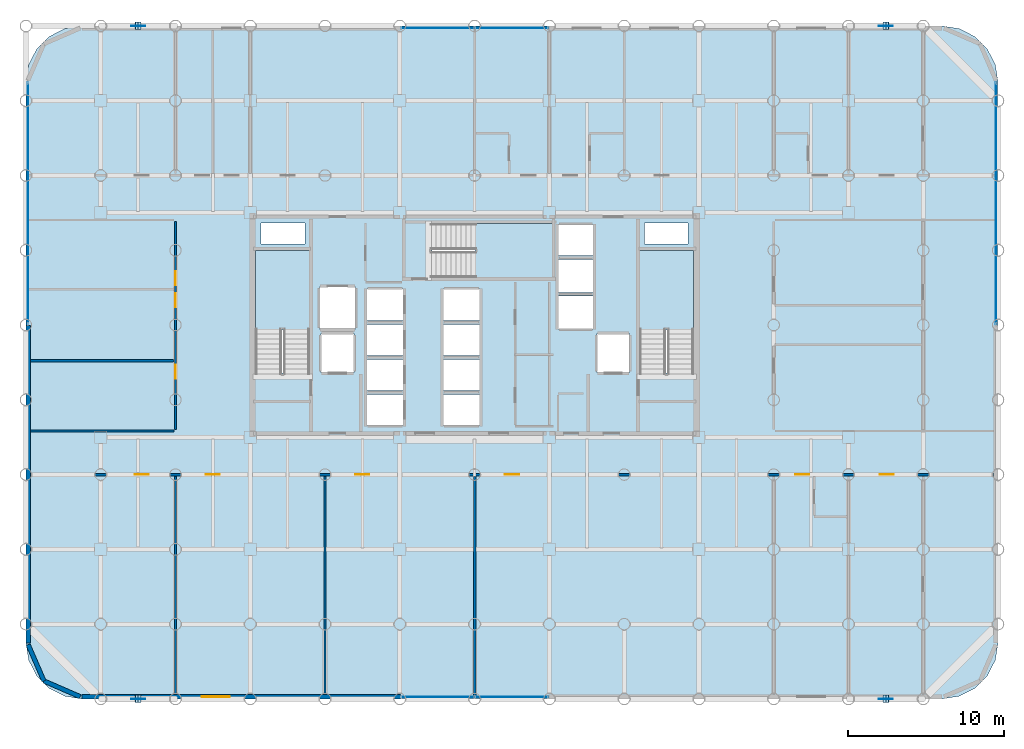
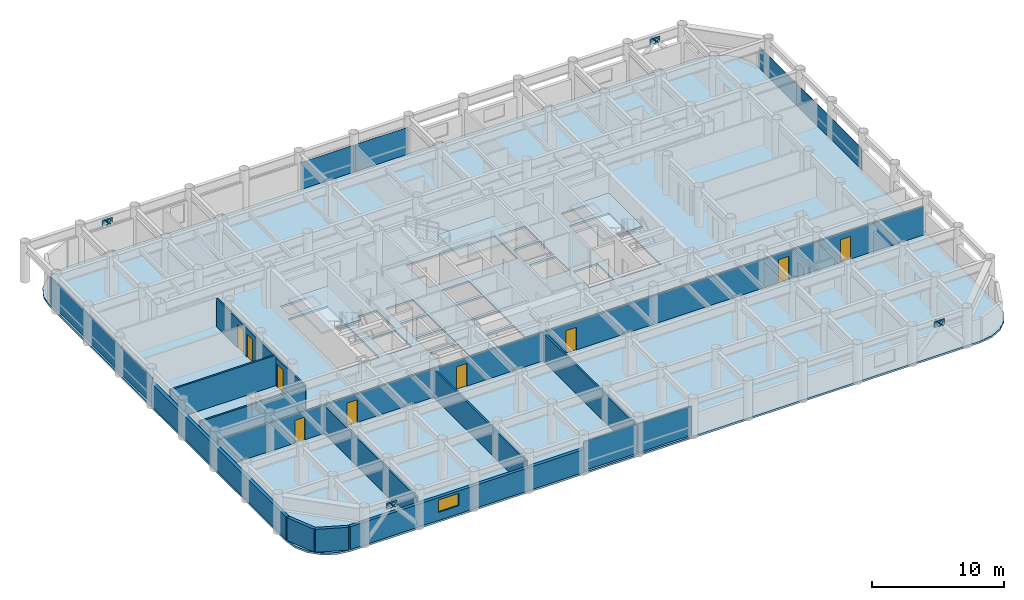
# One storey, part 14 of 19: 18 plates, 11 walls, 9 doors, 4 slabs, 1 window, 10 openings, 7 elements without a shape of their own.
"""IFC4 building model written with IfcOpenShell, lengths in metres."""

import ifcopenshell
import ifcopenshell.guid

model = None  # the IFC model being written
_history = None  # IfcOwnerHistory: only IFC2X3 demands one
_inside = {}  # id of a spatial element -> (the spatial element, [elements in it])
_under = {}  # id of a project, library or spatial element -> (it, [spatial elements below it])
_declared = {}  # id of a project -> (the project, [libraries it declares])
_typed = {}  # id of a type object -> (the type object, [elements of that type])
_made_of = {}  # id of a material, layer set ... -> (it, [elements and type objects made of it])


def new_model(schema):
    """Start an empty IFC model of exactly this schema.

    Asked for "IFC4X3", IfcOpenShell would pick the latest addendum, in which some entities
    have other attributes; the version numbers below select the first issue.
    IFC2X3 requires an IfcOwnerHistory on every rooted entity: one is made here for all.
    """
    global model, _history
    if schema == "IFC4X3":
        model = ifcopenshell.file(schema_version=(4, 3, 0, 0))
    else:
        model = ifcopenshell.file(schema=schema)
    _inside.clear()
    _under.clear()
    _declared.clear()
    _typed.clear()
    _made_of.clear()
    _history = None
    if model.schema == "IFC2X3":
        org = make("IfcOrganization", Name="unknown")
        user = make(
            "IfcPersonAndOrganization",
            ThePerson=make("IfcPerson", FamilyName="unknown"),
            TheOrganization=org,
        )
        app = make(
            "IfcApplication",
            ApplicationDeveloper=org,
            Version="unknown",
            ApplicationFullName="unknown",
            ApplicationIdentifier="unknown",
        )
        _history = make(
            "IfcOwnerHistory",
            OwningUser=user,
            OwningApplication=app,
            ChangeAction="ADDED",
            CreationDate=0,
        )
    return model


def make(cls, **values):
    """One entity of the class cls with the attributes given. An attribute that is None is left unset."""
    return model.create_entity(
        cls, **{name: value for name, value in values.items() if value is not None}
    )


def rooted(cls, **values):
    """An entity with a GlobalId (a new one), such as an element, a storey or a relation."""
    return make(cls, GlobalId=ifcopenshell.guid.new(), OwnerHistory=_history, **values)


def si_unit(unit_type, name, prefix=None):
    """IfcSIUnit, for example si_unit("LENGTHUNIT", "METRE", prefix="MILLI")."""
    return make("IfcSIUnit", UnitType=unit_type, Prefix=prefix, Name=name)


def assignment(units):
    """IfcUnitAssignment: the units of a project."""
    return None if units is None else make("IfcUnitAssignment", Units=units)


def point(xyz):
    """IfcCartesianPoint."""
    return None if xyz is None else make("IfcCartesianPoint", Coordinates=xyz)


def direction(xyz):
    """IfcDirection."""
    return None if xyz is None else make("IfcDirection", DirectionRatios=xyz)


def frame(location, z_axis=None, x_axis=None):
    """IfcAxis2Placement3D, a coordinate frame: its origin and axes. An axis left out is left unset."""
    return make(
        "IfcAxis2Placement3D",
        Location=point(location),
        Axis=direction(z_axis),
        RefDirection=direction(x_axis),
    )


def frame_2d(location, x_axis=None):
    """IfcAxis2Placement2D, a coordinate frame in the plane: its origin and x axis."""
    return make(
        "IfcAxis2Placement2D", Location=point(location), RefDirection=direction(x_axis)
    )


def origin():
    """The frame at (0, 0, 0) with its axes left unset."""
    return frame((0.0, 0.0, 0.0))


def origin_2d():
    """The frame at (0, 0) in the plane with its x axis left unset."""
    return frame_2d((0.0, 0.0))


def place(relative_to, where):
    """IfcLocalPlacement: puts the frame where relative to a parent placement (None: the world)."""
    return make(
        "IfcLocalPlacement", PlacementRelTo=relative_to, RelativePlacement=where
    )


def context(
    kind, dimensions, precision=None, world=None, true_north=None, identifier=None
):
    """IfcGeometricRepresentationContext, for example the 3D "Model" context."""
    return make(
        "IfcGeometricRepresentationContext",
        ContextIdentifier=identifier,
        ContextType=kind,
        CoordinateSpaceDimension=dimensions,
        Precision=precision,
        WorldCoordinateSystem=world,
        TrueNorth=true_north,
    )


def subcontext(parent, identifier, kind, view, scale=None):
    """IfcGeometricRepresentationSubContext, for example "Body" below "Model"."""
    return make(
        "IfcGeometricRepresentationSubContext",
        ContextIdentifier=identifier,
        ContextType=kind,
        ParentContext=parent,
        TargetScale=scale,
        TargetView=view,
    )


def project(units=None, contexts=None):
    """IfcProject with its units and contexts."""
    return rooted(
        "IfcProject",
        Name="project",
        RepresentationContexts=contexts,
        UnitsInContext=assignment(units),
    )


def spatial(cls, under=None, at=None, **own):
    """A site, building, storey or space (cls), placed at a placement, below another one or the project."""
    s = rooted(cls, ObjectPlacement=at, **own)
    if under is not None:
        _under.setdefault(under.id(), (under, []))[1].append(s)
    return s


def polyline(points):
    """IfcPolyline through the points."""
    return make("IfcPolyline", Points=[point(p) for p in points])


def profile(cls, at=None, kind="AREA", **sizes):
    """A parametric profile (cls). Its sizes go by their IFC names, for example OverallWidth=200.0."""
    return make(cls, ProfileType=kind, Position=at, **sizes)


def rectangle(**sizes):
    """IfcRectangleProfileDef."""
    return profile("IfcRectangleProfileDef", **sizes)


def outline(outer, holes=None, kind="AREA"):
    """IfcArbitraryClosedProfileDef: a profile drawn as a closed curve; with holes, ...WithVoids."""
    if holes is None:
        return make("IfcArbitraryClosedProfileDef", ProfileType=kind, OuterCurve=outer)
    return make(
        "IfcArbitraryProfileDefWithVoids",
        ProfileType=kind,
        OuterCurve=outer,
        InnerCurves=holes,
    )


def extrude(swept, where, along, depth):
    """IfcExtrudedAreaSolid: the profile swept, set in the frame where, extruded along a direction by depth."""
    return make(
        "IfcExtrudedAreaSolid",
        SweptArea=swept,
        Position=where,
        ExtrudedDirection=direction(along),
        Depth=depth,
    )


def shape(context_of_items, identifier, shape_type, items):
    """IfcShapeRepresentation: the items that make up one representation, for example the "Body"."""
    return make(
        "IfcShapeRepresentation",
        ContextOfItems=context_of_items,
        RepresentationIdentifier=identifier,
        RepresentationType=shape_type,
        Items=items,
    )


def material(Name=None, Category=None):
    """IfcMaterial."""
    return make("IfcMaterial", Name=Name, Category=Category)


def layer(
    of_material, thickness, ventilated=None, Name=None, Category=None, Priority=None
):
    """IfcMaterialLayer: one layer of a wall or slab, of a material (None: an air gap)."""
    return make(
        "IfcMaterialLayer",
        Material=of_material,
        LayerThickness=thickness,
        IsVentilated=ventilated,
        Name=Name,
        Category=Category,
        Priority=Priority,
    )


def layer_set(layers, Name=None):
    """IfcMaterialLayerSet."""
    return make("IfcMaterialLayerSet", MaterialLayers=layers, LayerSetName=Name)


def made_of(thing, what):
    """Note that an element or type object is made of a material, layer set ...; save() writes the relation."""
    if what is not None:
        _made_of.setdefault(what.id(), (what, []))[1].append(thing)
    return thing


def type_object(cls, material=None, **own):
    """A type object (cls), such as IfcWallType, which elements share."""
    return made_of(rooted(cls, **own), material)


def element(
    cls,
    number,
    at=None,
    inside=None,
    cuts=None,
    type_object=None,
    material=None,
    context=None,
    identifier="Body",
    shape_type=None,
    held_by="IfcProductDefinitionShape",
    body=None,
    shapes=None,
    **own,
):
    """One element of the class cls, such as IfcWall. Its Tag is "e" and its number.

    at: its placement. inside: the storey or other place that contains it. cuts: it is an
    opening in that element (IfcRelVoidsElement). A single representation is given by context,
    identifier, shape_type and body (its items); several are given by shapes. held_by: the class
    of the entity that holds the representations. save() writes the other relations.
    """
    e = rooted(cls, Tag="e%d" % number, ObjectPlacement=at, **own)
    if body is not None:
        shapes = [shape(context, identifier, shape_type, body)]
    if shapes is not None:
        e.Representation = make(held_by, Representations=shapes)
    if inside is not None:
        _inside.setdefault(inside.id(), (inside, []))[1].append(e)
    if cuts is not None:
        rooted(
            "IfcRelVoidsElement", RelatingBuildingElement=cuts, RelatedOpeningElement=e
        )
    if type_object is not None:
        _typed.setdefault(type_object.id(), (type_object, []))[1].append(e)
    return made_of(e, material)


def fill(opening, filler):
    """IfcRelFillsElement: the door or window that sits in an opening."""
    return rooted(
        "IfcRelFillsElement",
        RelatingOpeningElement=opening,
        RelatedBuildingElement=filler,
    )


def aggregate(whole, parts):
    """IfcRelAggregates: a whole, such as a stair, and the parts it consists of."""
    return rooted("IfcRelAggregates", RelatingObject=whole, RelatedObjects=parts)


def save(model, path):
    """Write the relations noted so far, then the file.

    IfcRelAggregates (storeys below a building ...), IfcRelContainedInSpatialStructure (elements
    in a storey), IfcRelDefinesByType, IfcRelAssociatesMaterial and IfcRelDeclares: one each for
    every whole, place, type object, material and project.
    """
    for whole, parts in _under.values():
        aggregate(whole, parts)
    for where, things in _inside.values():
        rooted(
            "IfcRelContainedInSpatialStructure",
            RelatedElements=things,
            RelatingStructure=where,
        )
    for kind, things in _typed.values():
        rooted("IfcRelDefinesByType", RelatedObjects=things, RelatingType=kind)
    for what, things in _made_of.values():
        rooted("IfcRelAssociatesMaterial", RelatedObjects=things, RelatingMaterial=what)
    for by, libraries in _declared.values():
        rooted("IfcRelDeclares", RelatingContext=by, RelatedDefinitions=libraries)
    model.write(path)


model = new_model("IFC4")

# Units and contexts
model_context = context("Model", 3, precision=1e-05, world=origin(), true_north=direction((0.0, 1.0)))
body_context = subcontext(model_context, "Body", "Model", "MODEL_VIEW")
ifc_project = project(units=[si_unit("LENGTHUNIT", "METRE"), si_unit("AREAUNIT", "SQUARE_METRE"), si_unit("VOLUMEUNIT", "CUBIC_METRE"), si_unit("PLANEANGLEUNIT", "RADIAN"), si_unit("MASSUNIT", "GRAM", prefix="KILO")], contexts=[model_context])

# Site, building, storey
site_placement = place(None, origin())
site = spatial("IfcSite", under=ifc_project, at=site_placement, CompositionType="ELEMENT")
building_placement = place(site_placement, origin())
building = spatial("IfcBuilding", under=site, at=building_placement, Name="Kallvorn Hotel Tower", CompositionType="ELEMENT")
storey_placement = place(building_placement, frame((0.0, 0.0, 67.0)))
storey = spatial("IfcBuildingStorey", under=building, at=storey_placement, Name="L15", CompositionType="ELEMENT", Elevation=67.0)

# Curtain wall, plates
ifc_material_1 = material(Name="Thermally broken black-anodised aluminium AA 6063-T6", Category="aluminium")
ifc_layer_1 = layer(ifc_material_1, 0.199951171875)
ifc_layer_set_1 = layer_set([ifc_layer_1], Name="CW_SYS_3_HOTEL_LOW")
curtain_wall_type = type_object("IfcCurtainWallType", Name="CW_SYS_3_HOTEL_LOW", PredefinedType="USERDEFINED", material=ifc_layer_set_1)
curtain_wall_1_placement = place(storey_placement, origin())
curtain_wall_1 = element("IfcCurtainWall", 1, at=curtain_wall_1_placement, inside=storey, type_object=curtain_wall_type, Name="L15 Dark-Glass Curtain Wall CW-L15-SC", ObjectType="UNITISED CURTAIN WALL", PredefinedType="USERDEFINED")
ifc_material_2 = material(Name="Double-glazed low-e solar-control dark glass", Category="glass")
ifc_layer_2 = layer(ifc_material_2, 0.035888671875)
ifc_layer_set_2 = layer_set([ifc_layer_2], Name="CW_SYS_3_HOTEL_LOW_PANEL")
plate_type_1 = type_object("IfcPlateType", Name="CW_SYS_3_HOTEL_LOW_PANEL", PredefinedType="CURTAIN_PANEL", material=ifc_layer_set_2)
plate_1_placement = place(storey_placement, frame((-2.375, -23.8798828125, 0.06005859375), z_axis=(0.0, 0.0, 1.0), x_axis=(1.0, 0.0, 0.0)))
plate_1 = element("IfcPlate", 2, at=plate_1_placement, type_object=plate_type_1, Name="CW-L15-SC Vision Glass Panel 00", PredefinedType="CURTAIN_PANEL", context=body_context, shape_type="SweptSolid", body=[
    extrude(rectangle(XDim=4.68994140625, YDim=0.035888671875, at=origin_2d()), origin(), (0.0, 0.0, 1.0), 2.699951171875),
])
plate_2_placement = place(storey_placement, frame((2.375, -23.8798828125, 0.06005859375), z_axis=(0.0, 0.0, 1.0), x_axis=(1.0, 0.0, 0.0)))
plate_2 = element("IfcPlate", 3, at=plate_2_placement, type_object=plate_type_1, Name="CW-L15-SC Vision Glass Panel 01", PredefinedType="CURTAIN_PANEL", context=body_context, shape_type="SweptSolid", body=[
    extrude(rectangle(XDim=4.68994140625, YDim=0.035888671875, at=origin_2d()), origin(), (0.0, 0.0, 1.0), 2.699951171875),
])
aggregate(curtain_wall_1, [plate_1, plate_2])

curtain_wall_2_placement = place(storey_placement, origin())
curtain_wall_2 = element("IfcCurtainWall", 4, at=curtain_wall_2_placement, inside=storey, type_object=curtain_wall_type, Name="L15 Dark-Glass Curtain Wall CW-L15-NC", ObjectType="UNITISED CURTAIN WALL", PredefinedType="USERDEFINED")
plate_3_placement = place(storey_placement, frame((-2.375, 19.080078125, 0.06005859375), z_axis=(0.0, 0.0, 1.0), x_axis=(1.0, 0.0, 0.0)))
plate_3 = element("IfcPlate", 5, at=plate_3_placement, type_object=plate_type_1, Name="CW-L15-NC Vision Glass Panel 00", PredefinedType="CURTAIN_PANEL", context=body_context, shape_type="SweptSolid", body=[
    extrude(rectangle(XDim=4.68994140625, YDim=0.035888671875, at=origin_2d()), origin(), (0.0, 0.0, 1.0), 2.5),
])
plate_4_placement = place(storey_placement, frame((2.375, 19.080078125, 0.06005859375), z_axis=(0.0, 0.0, 1.0), x_axis=(1.0, 0.0, 0.0)))
plate_4 = element("IfcPlate", 6, at=plate_4_placement, type_object=plate_type_1, Name="CW-L15-NC Vision Glass Panel 01", PredefinedType="CURTAIN_PANEL", context=body_context, shape_type="SweptSolid", body=[
    extrude(rectangle(XDim=4.68994140625, YDim=0.035888671875, at=origin_2d()), origin(), (0.0, 0.0, 1.0), 2.5),
])
aggregate(curtain_wall_2, [plate_3, plate_4])

# Curtain wall, plate
curtain_wall_3_placement = place(storey_placement, origin())
curtain_wall_3 = element("IfcCurtainWall", 7, at=curtain_wall_3_placement, inside=storey, type_object=curtain_wall_type, Name="L15 Dark-Glass Curtain Wall CW-L15-WN", ObjectType="UNITISED CURTAIN WALL", PredefinedType="USERDEFINED")
plate_5_placement = place(storey_placement, frame((-28.679931640625, 7.81005859375, 0.06005859375), z_axis=(0.0, 0.0, 1.0), x_axis=(0.0, 1.0, 0.0)))
plate_5 = element("IfcPlate", 8, at=plate_5_placement, type_object=plate_type_1, Name="CW-L15-WN Vision Glass Panel 00", PredefinedType="CURTAIN_PANEL", context=body_context, shape_type="SweptSolid", body=[
    extrude(rectangle(XDim=15.52001953125, YDim=0.035888671875, at=origin_2d()), origin(), (0.0, 0.0, 1.0), 2.5),
])
aggregate(curtain_wall_3, [plate_5])

curtain_wall_4_placement = place(storey_placement, origin())
curtain_wall_4 = element("IfcCurtainWall", 9, at=curtain_wall_4_placement, inside=storey, type_object=curtain_wall_type, Name="L15 Dark-Glass Curtain Wall CW-L15-EN", ObjectType="UNITISED CURTAIN WALL", PredefinedType="USERDEFINED")
plate_6_placement = place(storey_placement, frame((33.47998046875, 7.81005859375, 0.06005859375), z_axis=(0.0, 0.0, 1.0), x_axis=(0.0, 1.0, 0.0)))
plate_6 = element("IfcPlate", 10, at=plate_6_placement, type_object=plate_type_1, Name="CW-L15-EN Vision Glass Panel 00", PredefinedType="CURTAIN_PANEL", context=body_context, shape_type="SweptSolid", body=[
    extrude(rectangle(XDim=15.52001953125, YDim=0.035888671875, at=origin_2d()), origin(), (0.0, 0.0, 1.0), 2.0),
])
aggregate(curtain_wall_4, [plate_6])

# Plates
ifc_material_3 = material(Name="Structural steel S355JR", Category="steel")
ifc_layer_3 = layer(ifc_material_3, 0.030029296875)
ifc_layer_set_3 = layer_set([ifc_layer_3], Name="PLT_CAP_30")
plate_type_2 = type_object("IfcPlateType", Name="PLT_CAP_30", PredefinedType="SHEET", material=ifc_layer_set_3)
for number, where, z_axis, x_axis, name in (
    (11, (-21.409423828125, -24.2431640625, 2.80859375), (0.653515319717, 0.0, 0.756913288888), (0.0, 1.0, 0.0), "EXO-L15-S1A End Cap Plate B"),
    (12, (-21.79052734375, -23.7568359375, 2.80859375), (-0.653515319717, 0.0, 0.756913288888), (0.0, -1.0, 0.0), "EXO-L15-S1B End Cap Plate B"),
    (13, (26.590576171875, -24.2431640625, 2.80859375), (0.653515319717, 0.0, 0.756913288888), (0.0, 1.0, 0.0), "EXO-L15-S2A End Cap Plate B"),
    (14, (26.20947265625, -23.7568359375, 2.80859375), (-0.653515319717, 0.0, 0.756913288888), (0.0, -1.0, 0.0), "EXO-L15-S2B End Cap Plate B"),
    (15, (-21.409423828125, 18.956787109375, 2.80859375), (0.653515319717, 0.0, 0.756913288888), (0.0, 1.0, 0.0), "EXO-L15-N1A End Cap Plate B"),
    (16, (-21.79052734375, 19.443115234375, 2.80859375), (-0.653515319717, 0.0, 0.756913288888), (0.0, -1.0, 0.0), "EXO-L15-N1B End Cap Plate B"),
    (17, (26.590576171875, 18.956787109375, 2.80859375), (0.653515319717, 0.0, 0.756913288888), (0.0, 1.0, 0.0), "EXO-L15-N2A End Cap Plate B"),
    (18, (26.20947265625, 19.443115234375, 2.80859375), (-0.653515319717, 0.0, 0.756913288888), (0.0, -1.0, 0.0), "EXO-L15-N2B End Cap Plate B"),
):
    element("IfcPlate", number, at=place(storey_placement, frame(where, z_axis=z_axis, x_axis=x_axis)), inside=storey, type_object=plate_type_2, Name=name, PredefinedType="SHEET", context=body_context, shape_type="SweptSolid", body=[
        extrude(outline(polyline([(0.0, 0.0), (0.486328125, 0.0), (0.486328125, 0.4864019008580509), (0.0, 0.4864019008580509), (0.0, 0.0)])), origin(), (0.0, 0.0, -1.0), 0.030029296875),
    ])
ifc_material_4 = material(Name="Structural steel S355JR", Category="steel")
ifc_layer_4 = layer(ifc_material_4, 0.044921875)
ifc_layer_set_4 = layer_set([ifc_layer_4], Name="PLT_GUSSET_45")
plate_type_3 = type_object("IfcPlateType", Name="PLT_GUSSET_45", PredefinedType="USERDEFINED", material=ifc_layer_set_4)
for number, where, z_axis, x_axis, name in (
    (19, (-21.60009765625, -24.0, 2.639892578125), (0.0, 0.0, 1.0), (1.0, 0.0, 0.0), "L15 Exoskeleton Node Gusset S1"),
    (20, (26.39990234375, -24.0, 2.639892578125), (0.0, 0.0, 1.0), (1.0, 0.0, 0.0), "L15 Exoskeleton Node Gusset S2"),
    (21, (-21.60009765625, 19.199951171875, 2.639892578125), (0.0, 0.0, 1.0), (1.0, 0.0, 0.0), "L15 Exoskeleton Node Gusset N1"),
    (22, (26.39990234375, 19.199951171875, 2.639892578125), (0.0, 0.0, 1.0), (1.0, 0.0, 0.0), "L15 Exoskeleton Node Gusset N2"),
):
    element("IfcPlate", number, at=place(storey_placement, frame(where, z_axis=z_axis, x_axis=x_axis)), inside=storey, type_object=plate_type_3, Name=name, ObjectType="GUSSET PLATE", PredefinedType="USERDEFINED", context=body_context, shape_type="SweptSolid", body=[
        extrude(rectangle(XDim=0.89990234375, YDim=0.044921875, at=origin_2d()), origin(), (0.0, 0.0, 1.0), 0.56005859375),
    ])

# Stair, slab
ifc_material_5 = material(Name="Precast concrete C40/50", Category="concrete")
stair_type = type_object("IfcStairType", Name="STR_CORE_DOGLEG", PredefinedType="HALF_TURN_STAIR", material=ifc_material_5)
stair_1_placement = place(storey_placement, origin())
stair_1 = element("IfcStair", 23, at=stair_1_placement, inside=storey, type_object=stair_type, Name="L15 Exit stair ST1", PredefinedType="HALF_TURN_STAIR")
ifc_material_6 = material(Name="Precast concrete C40/50", Category="concrete")
ifc_layer_5 = layer(ifc_material_6, 0.179931640625)
ifc_layer_set_5 = layer_set([ifc_layer_5], Name="SLB_LANDING_180")
slab_type_1 = type_object("IfcSlabType", Name="SLB_LANDING_180", PredefinedType="LANDING", material=ifc_layer_set_5)
slab_1_placement = place(storey_placement, frame((0.0, 0.0, 1.64990234375)))
slab_1 = element("IfcSlab", 24, at=slab_1_placement, type_object=slab_type_1, Name="ST1 landing 1", PredefinedType="LANDING", context=body_context, shape_type="SweptSolid", body=[
    extrude(outline(polyline([(-10.60009765625, -0.31005859375), (-10.60009765625, 4.800048828125), (-14.06005859375, 4.800048828125), (-14.06005859375, -0.31005859375), (-10.60009765625, -0.31005859375)])), origin(), (0.0, 0.0, 1.0), 0.2001953125),
])
aggregate(stair_1, [slab_1])

stair_2_placement = place(storey_placement, origin())
stair_2 = element("IfcStair", 25, at=stair_2_placement, inside=storey, type_object=stair_type, Name="L15 Exit stair ST2", PredefinedType="HALF_TURN_STAIR")
slab_2_placement = place(storey_placement, frame((0.0, 0.0, 1.64990234375)))
slab_2 = element("IfcSlab", 26, at=slab_2_placement, type_object=slab_type_1, Name="ST2 landing 1", PredefinedType="LANDING", context=body_context, shape_type="SweptSolid", body=[
    extrude(outline(polyline([(14.06005859375, -0.31005859375), (14.06005859375, 4.800048828125), (10.60009765625, 4.800048828125), (10.60009765625, -0.31005859375), (14.06005859375, -0.31005859375)])), origin(), (0.0, 0.0, 1.0), 0.2001953125),
])
aggregate(stair_2, [slab_2])

stair_3_placement = place(storey_placement, origin())
stair_3 = element("IfcStair", 27, at=stair_3_placement, inside=storey, type_object=stair_type, Name="L15 Exit stair ST3", PredefinedType="HALF_TURN_STAIR")
slab_3_placement = place(storey_placement, frame((0.0, 0.0, 1.64990234375)))
slab_3 = element("IfcSlab", 28, at=slab_3_placement, type_object=slab_type_1, Name="ST3 landing 1", PredefinedType="LANDING", context=body_context, shape_type="SweptSolid", body=[
    extrude(outline(polyline([(0.0400390625, 3.050048828125), (5.050048828125, 3.050048828125), (5.050048828125, 6.510009765625), (0.0400390625, 6.510009765625), (0.0400390625, 3.050048828125)])), origin(), (0.0, 0.0, 1.0), 0.2001953125),
])
aggregate(stair_3, [slab_3])

# Slab
ifc_material_7 = material(Name="Concrete C40/50", Category="concrete")
ifc_layer_6 = layer(ifc_material_7, 0.179931640625)
ifc_layer_set_6 = layer_set([ifc_layer_6], Name="SLB_TOWER_180")
slab_type_2 = type_object("IfcSlabType", Name="SLB_TOWER_180", PredefinedType="FLOOR", material=ifc_layer_set_6)
slab_4_placement = place(storey_placement, frame((0.0, 0.0, -0.179931640625)))
element("IfcSlab", 29, at=slab_4_placement, inside=storey, type_object=slab_type_2, Name="L15 Structural Floor Slab", PredefinedType="FLOOR", context=body_context, shape_type="SweptSolid", body=[
    extrude(outline(polyline([(30.0, -24.0), (31.112548828125, -23.82373046875), (32.115966796875, -23.3125), (32.91259765625, -22.51611328125), (33.423828125, -21.512451171875), (33.60009765625, -20.39990234375), (33.60009765625, 15.60009765625), (33.423828125, 16.71240234375), (32.91259765625, 17.716064453125), (32.115966796875, 18.512451171875), (31.112548828125, 19.023681640625), (30.0, 19.199951171875), (-25.199951171875, 19.199951171875), (-26.3125, 19.023681640625), (-27.31591796875, 18.512451171875), (-28.112548828125, 17.716064453125), (-28.623779296875, 16.71240234375), (-28.800048828125, 15.60009765625), (-28.800048828125, -20.39990234375), (-28.623779296875, -21.512451171875), (-28.112548828125, -22.51611328125), (-27.31591796875, -23.3125), (-26.3125, -23.82373046875), (-25.199951171875, -24.0), (30.0, -24.0)]), holes=[polyline([(-10.60009765625, -3.070068359375), (-10.60009765625, 4.800048828125), (-14.06005859375, 4.800048828125), (-14.06005859375, -3.070068359375), (-10.60009765625, -3.070068359375)]), polyline([(14.06005859375, -3.070068359375), (14.06005859375, 4.800048828125), (10.60009765625, 4.800048828125), (10.60009765625, -3.070068359375), (14.06005859375, -3.070068359375)]), polyline([(-2.719970703125, 3.050048828125), (5.050048828125, 3.050048828125), (5.050048828125, 6.510009765625), (-2.719970703125, 6.510009765625), (-2.719970703125, 3.050048828125)]), polyline([(-6.949951171875, -6.449951171875), (-4.550048828125, -6.449951171875), (-4.550048828125, -4.449951171875), (-6.949951171875, -4.449951171875), (-6.949951171875, -6.449951171875)]), polyline([(-6.949951171875, -4.199951171875), (-4.550048828125, -4.199951171875), (-4.550048828125, -2.199951171875), (-6.949951171875, -2.199951171875), (-6.949951171875, -4.199951171875)]), polyline([(-6.949951171875, -1.949951171875), (-4.550048828125, -1.949951171875), (-4.550048828125, 0.050048828125), (-6.949951171875, 0.050048828125), (-6.949951171875, -1.949951171875)]), polyline([(-6.949951171875, 0.300048828125), (-4.550048828125, 0.300048828125), (-4.550048828125, 2.300048828125), (-6.949951171875, 2.300048828125), (-6.949951171875, 0.300048828125)]), polyline([(-2.050048828125, -6.449951171875), (0.35009765625, -6.449951171875), (0.35009765625, -4.449951171875), (-2.050048828125, -4.449951171875), (-2.050048828125, -6.449951171875)]), polyline([(-2.050048828125, -4.199951171875), (0.35009765625, -4.199951171875), (0.35009765625, -2.199951171875), (-2.050048828125, -2.199951171875), (-2.050048828125, -4.199951171875)]), polyline([(-2.050048828125, -1.949951171875), (0.35009765625, -1.949951171875), (0.35009765625, 0.050048828125), (-2.050048828125, 0.050048828125), (-2.050048828125, -1.949951171875)]), polyline([(-2.050048828125, 0.300048828125), (0.35009765625, 0.300048828125), (0.35009765625, 2.300048828125), (-2.050048828125, 2.300048828125), (-2.050048828125, 0.300048828125)]), polyline([(5.35009765625, -0.25), (7.64990234375, -0.25), (7.64990234375, 1.85009765625), (5.35009765625, 1.85009765625), (5.35009765625, -0.25)]), polyline([(5.35009765625, 2.10009765625), (7.64990234375, 2.10009765625), (7.64990234375, 4.199951171875), (5.35009765625, 4.199951171875), (5.35009765625, 2.10009765625)]), polyline([(5.35009765625, 4.449951171875), (7.64990234375, 4.449951171875), (7.64990234375, 6.449951171875), (5.35009765625, 6.449951171875), (5.35009765625, 4.449951171875)]), polyline([(-9.85009765625, -3.050048828125), (-7.75, -3.050048828125), (-7.75, -0.550048828125), (-9.85009765625, -0.550048828125), (-9.85009765625, -3.050048828125)]), polyline([(7.85009765625, -3.050048828125), (9.949951171875, -3.050048828125), (9.949951171875, -0.550048828125), (7.85009765625, -0.550048828125), (7.85009765625, -3.050048828125)]), polyline([(-9.949951171875, -0.25), (-7.64990234375, -0.25), (-7.64990234375, 2.449951171875), (-9.949951171875, 2.449951171875), (-9.949951171875, -0.25)]), polyline([(-13.699951171875, 5.199951171875), (-10.89990234375, 5.199951171875), (-10.89990234375, 6.550048828125), (-13.699951171875, 6.550048828125), (-13.699951171875, 5.199951171875)]), polyline([(10.89990234375, 5.199951171875), (13.699951171875, 5.199951171875), (13.699951171875, 6.550048828125), (10.89990234375, 6.550048828125), (10.89990234375, 5.199951171875)])]), origin(), (0.0, 0.0, 1.0), 0.179931640625),
])

# Wall, openings, doors
ifc_material_8 = material(Name="Fire-rated double-layer acoustic gypsum drywall EI 60")
ifc_layer_7 = layer(ifc_material_8, 0.159912109375)
ifc_layer_set_7 = layer_set([ifc_layer_7], Name="WL_DEMISE_160")
wall_type_1 = type_object("IfcWallType", Name="WL_DEMISE_160", PredefinedType="PARTITIONING", material=ifc_layer_set_7)
wall_1_placement = place(storey_placement, frame((-28.510009765625, -9.60009765625, 0.0), z_axis=(0.0, 0.0, 1.0), x_axis=(1.0, 0.0, 0.0)))
wall_1 = element("IfcWall", 30, at=wall_1_placement, inside=storey, type_object=wall_type_1, Name="L15 Suite 1501 Deluxe King Room Partition", PredefinedType="PARTITIONING", context=body_context, shape_type="SweptSolid", body=[
    extrude(rectangle(XDim=61.820068359375, YDim=0.159912109375, at=frame_2d((30.91015625, 0.0))), origin(), (0.0, 0.0, 1.0), 2.6201171875),
])
opening_1_placement = place(wall_1_placement, frame((6.679443359375, 0.0, 0.0)))
opening_1 = element("IfcOpeningElement", 31, at=opening_1_placement, cuts=wall_1, Name="Opening SVD1", PredefinedType="OPENING", context=body_context, shape_type="SweptSolid", body=[
    extrude(rectangle(XDim=0.89990234375, YDim=2.10009765625, at=frame_2d((0.449951171875, 1.050048828125))), frame((0.0, 0.094970703125, 0.0), z_axis=(0.0, -1.0, 0.0), x_axis=(1.0, 0.0, 0.0)), (0.0, 0.0, 1.0), 0.18994140625),
])
opening_2_placement = place(wall_1_placement, frame((54.5, 0.0, 0.0)))
opening_2 = element("IfcOpeningElement", 32, at=opening_2_placement, cuts=wall_1, Name="Opening SVD1", PredefinedType="OPENING", context=body_context, shape_type="SweptSolid", body=[
    extrude(rectangle(XDim=0.89990234375, YDim=2.10009765625, at=frame_2d((0.449951171875, 1.050048828125))), frame((0.0, 0.094970703125, 0.0), z_axis=(0.0, -1.0, 0.0), x_axis=(1.0, 0.0, 0.0)), (0.0, 0.0, 1.0), 0.18994140625),
])
opening_3_placement = place(wall_1_placement, frame((11.260009765625, 0.0, 0.0)))
opening_3 = element("IfcOpeningElement", 33, at=opening_3_placement, cuts=wall_1, Name="Opening SVD1", PredefinedType="OPENING", context=body_context, shape_type="SweptSolid", body=[
    extrude(rectangle(XDim=0.89990234375, YDim=2.10009765625, at=frame_2d((0.449951171875, 1.050048828125))), frame((0.0, 0.094970703125, 0.0), z_axis=(0.0, -1.0, 0.0), x_axis=(1.0, 0.0, 0.0)), (0.0, 0.0, 1.0), 0.18994140625),
])
opening_4_placement = place(wall_1_placement, frame((20.860107421875, 0.0, 0.0)))
opening_4 = element("IfcOpeningElement", 34, at=opening_4_placement, cuts=wall_1, Name="Opening SVD1", PredefinedType="OPENING", context=body_context, shape_type="SweptSolid", body=[
    extrude(rectangle(XDim=0.89990234375, YDim=2.10009765625, at=frame_2d((0.449951171875, 1.050048828125))), frame((0.0, 0.094970703125, 0.0), z_axis=(0.0, -1.0, 0.0), x_axis=(1.0, 0.0, 0.0)), (0.0, 0.0, 1.0), 0.18994140625),
])
opening_5_placement = place(wall_1_placement, frame((30.4599609375, 0.0, 0.0)))
opening_5 = element("IfcOpeningElement", 35, at=opening_5_placement, cuts=wall_1, Name="Opening SVD1", PredefinedType="OPENING", context=body_context, shape_type="SweptSolid", body=[
    extrude(rectangle(XDim=0.89990234375, YDim=2.10009765625, at=frame_2d((0.449951171875, 1.050048828125))), frame((0.0, 0.094970703125, 0.0), z_axis=(0.0, -1.0, 0.0), x_axis=(1.0, 0.0, 0.0)), (0.0, 0.0, 1.0), 0.18994140625),
])
opening_6_placement = place(wall_1_placement, frame((49.080078125, 0.0, 0.0)))
opening_6 = element("IfcOpeningElement", 36, at=opening_6_placement, cuts=wall_1, Name="Opening GD1", PredefinedType="OPENING", context=body_context, shape_type="SweptSolid", body=[
    extrude(rectangle(XDim=0.919921875, YDim=2.14990234375, at=frame_2d((0.4599609375, 1.074951171875))), frame((0.0, 0.094970703125, 0.0), z_axis=(0.0, -1.0, 0.0), x_axis=(1.0, 0.0, 0.0)), (0.0, 0.0, 1.0), 0.18994140625),
])
ifc_material_9 = material(Name="Solid-core walnut veneer fire-rated timber door leaf", Category="wood")
door_type_1 = type_object("IfcDoorType", Name="DR_GUEST_920x2150", OperationType="NOTDEFINED", PredefinedType="DOOR", material=ifc_material_9)
door_1_placement = place(opening_6_placement, origin())
door_1 = element("IfcDoor", 37, at=door_1_placement, inside=storey, type_object=door_type_1, Name="L15 Suite 1501 Deluxe King Room Door", OperationType="SINGLE_SWING_LEFT", OverallHeight=2.14990234375, OverallWidth=0.919921875, PredefinedType="DOOR", context=body_context, shape_type="SweptSolid", body=[
    extrude(rectangle(XDim=0.919921875, YDim=2.14990234375, at=frame_2d((0.4599609375, 1.074951171875))), frame((0.0, 0.02490234375, 0.0), z_axis=(0.0, -1.0, 0.0), x_axis=(1.0, 0.0, 0.0)), (0.0, 0.0, 1.0), 0.050048828125),
])
fill(opening_6, door_1)
ifc_material_10 = material(Name="Galvanised painted steel fire-rated door assembly", Category="steel")
door_type_2 = type_object("IfcDoorType", Name="DR_SERV_900x2100", OperationType="NOTDEFINED", PredefinedType="DOOR", material=ifc_material_10)
door_2_placement = place(opening_1_placement, origin())
door_2 = element("IfcDoor", 38, at=door_2_placement, inside=storey, type_object=door_type_2, Name="L15 L15 South-West Botanical Bar Door", OperationType="SINGLE_SWING_LEFT", OverallHeight=2.10009765625, OverallWidth=0.89990234375, PredefinedType="DOOR", context=body_context, shape_type="SweptSolid", body=[
    extrude(rectangle(XDim=0.89990234375, YDim=2.10009765625, at=frame_2d((0.449951171875, 1.050048828125))), frame((0.0, 0.02490234375, 0.0), z_axis=(0.0, -1.0, 0.0), x_axis=(1.0, 0.0, 0.0)), (0.0, 0.0, 1.0), 0.050048828125),
])
fill(opening_1, door_2)
door_3_placement = place(opening_2_placement, origin())
door_3 = element("IfcDoor", 39, at=door_3_placement, inside=storey, type_object=door_type_2, Name="L15 L15 South-East Sommelier Bar A Door", OperationType="SINGLE_SWING_RIGHT", OverallHeight=2.10009765625, OverallWidth=0.89990234375, PredefinedType="DOOR", context=body_context, shape_type="SweptSolid", body=[
    extrude(rectangle(XDim=0.89990234375, YDim=2.10009765625, at=frame_2d((0.449951171875, 1.050048828125))), frame((0.0, 0.02490234375, 0.0), z_axis=(0.0, -1.0, 0.0), x_axis=(1.0, 0.0, 0.0)), (0.0, 0.0, 1.0), 0.050048828125),
])
fill(opening_2, door_3)
door_4_placement = place(opening_3_placement, origin())
door_4 = element("IfcDoor", 40, at=door_4_placement, inside=storey, type_object=door_type_2, Name="L15 L15 Curated Emerald Craft Retail Boutique 1 Door", OperationType="SINGLE_SWING_RIGHT", OverallHeight=2.10009765625, OverallWidth=0.89990234375, PredefinedType="DOOR", context=body_context, shape_type="SweptSolid", body=[
    extrude(rectangle(XDim=0.89990234375, YDim=2.10009765625, at=frame_2d((0.449951171875, 1.050048828125))), frame((0.0, 0.02490234375, 0.0), z_axis=(0.0, -1.0, 0.0), x_axis=(1.0, 0.0, 0.0)), (0.0, 0.0, 1.0), 0.050048828125),
])
fill(opening_3, door_4)
door_5_placement = place(opening_4_placement, origin())
door_5 = element("IfcDoor", 41, at=door_5_placement, inside=storey, type_object=door_type_2, Name="L15 L15 Haute Couture Design Retail Shop 2 Door", OperationType="SINGLE_SWING_RIGHT", OverallHeight=2.10009765625, OverallWidth=0.89990234375, PredefinedType="DOOR", context=body_context, shape_type="SweptSolid", body=[
    extrude(rectangle(XDim=0.89990234375, YDim=2.10009765625, at=frame_2d((0.449951171875, 1.050048828125))), frame((0.0, 0.02490234375, 0.0), z_axis=(0.0, -1.0, 0.0), x_axis=(1.0, 0.0, 0.0)), (0.0, 0.0, 1.0), 0.050048828125),
])
fill(opening_4, door_5)
door_6_placement = place(opening_5_placement, origin())
door_6 = element("IfcDoor", 42, at=door_6_placement, inside=storey, type_object=door_type_2, Name="L15 L15 Restaurant Culinary Catering Kitchen 3 Door", OperationType="SINGLE_SWING_RIGHT", OverallHeight=2.10009765625, OverallWidth=0.89990234375, PredefinedType="DOOR", context=body_context, shape_type="SweptSolid", body=[
    extrude(rectangle(XDim=0.89990234375, YDim=2.10009765625, at=frame_2d((0.449951171875, 1.050048828125))), frame((0.0, 0.02490234375, 0.0), z_axis=(0.0, -1.0, 0.0), x_axis=(1.0, 0.0, 0.0)), (0.0, 0.0, 1.0), 0.050048828125),
])
fill(opening_5, door_6)

# Walls
ifc_material_11 = material(Name="Precast basalt-clad insulated concrete wall C40/50", Category="masonry")
ifc_layer_8 = layer(ifc_material_11, 0.280029296875)
ifc_layer_set_8 = layer_set([ifc_layer_8], Name="WL_EXT_LOGGIA_280")
wall_type_2 = type_object("IfcWallType", Name="WL_EXT_LOGGIA_280", PredefinedType="SOLIDWALL", material=ifc_layer_set_8)
wall_2_placement = place(storey_placement, frame((-28.657958984375, -20.520751953125, 0.0), z_axis=(0.0, 0.0, 1.0), x_axis=(0.398792985289, -0.917040977756, 0.0)))
element("IfcWall", 43, at=wall_2_placement, inside=storey, type_object=wall_type_2, Name="L15 Rounded Corner Exterior Wall SW1", PredefinedType="SOLIDWALL", context=body_context, shape_type="SweptSolid", body=[
    extrude(rectangle(XDim=2.536376953125, YDim=0.280029296875, at=frame_2d((1.26806640625, 0.0))), origin(), (0.0, 0.0, 1.0), 2.1201171875),
])
wall_3_placement = place(storey_placement, frame((-27.646484375, -22.8466796875, 0.0), z_axis=(0.0, 0.0, 1.0), x_axis=(0.917060872934, -0.398747232384, 0.0)))
element("IfcWall", 44, at=wall_3_placement, inside=storey, type_object=wall_type_2, Name="L15 Rounded Corner Exterior Wall SW2", PredefinedType="SOLIDWALL", context=body_context, shape_type="SweptSolid", body=[
    extrude(rectangle(XDim=2.5361328125, YDim=0.280029296875, at=frame_2d((1.26806640625, 0.0))), origin(), (0.0, 0.0, 1.0), 2.1201171875),
])

# Wall, opening, window
wall_4_placement = place(storey_placement, frame((-25.199951171875, -23.860107421875, 0.0), z_axis=(0.0, 0.0, 1.0), x_axis=(1.0, 0.0, 0.0)))
wall_4 = element("IfcWall", 45, at=wall_4_placement, inside=storey, type_object=wall_type_2, Name="L15 Exterior Envelope Wall EW-L15-SW", PredefinedType="SOLIDWALL", context=body_context, shape_type="SweptSolid", body=[
    extrude(rectangle(XDim=20.449951171875, YDim=0.280029296875, at=frame_2d((10.22509765625, 0.0))), origin(), (0.0, 0.0, 1.0), 2.1201171875),
])
opening_7_placement = place(wall_4_placement, frame((7.679931640625, 0.0, 0.75)))
opening_7 = element("IfcOpeningElement", 46, at=opening_7_placement, cuts=wall_4, Name="Opening W04A", PredefinedType="OPENING", context=body_context, shape_type="SweptSolid", body=[
    extrude(rectangle(XDim=1.800048828125, YDim=1.14990234375, at=frame_2d((0.89990234375, 0.574951171875))), frame((0.0, 0.155029296875, 0.0), z_axis=(0.0, -1.0, 0.0), x_axis=(1.0, 0.0, 0.0)), (0.0, 0.0, 1.0), 0.31005859375),
])
ifc_material_12 = material(Name="Double-glazed low-e solar-control dark glass", Category="glass")
window_type = type_object("IfcWindowType", Name="WN_HTL_1800x1150", PartitioningType="SINGLE_PANEL", PredefinedType="WINDOW", material=ifc_material_12)
window_placement = place(opening_7_placement, origin())
window = element("IfcWindow", 47, at=window_placement, inside=storey, type_object=window_type, Name="L15 Guestroom Exterior Window 01", OverallHeight=1.14990234375, OverallWidth=1.800048828125, PartitioningType="SINGLE_PANEL", PredefinedType="WINDOW", context=body_context, shape_type="SweptSolid", body=[
    extrude(rectangle(XDim=1.800048828125, YDim=1.14990234375, at=frame_2d((0.89990234375, 0.574951171875))), frame((0.0, 0.030029296875, 0.0), z_axis=(0.0, -1.0, 0.0), x_axis=(1.0, 0.0, 0.0)), (0.0, 0.0, 1.0), 0.06005859375),
])
fill(opening_7, window)

# Walls
wall_5_placement = place(storey_placement, frame((-28.659912109375, -20.39990234375, 0.0), z_axis=(0.0, 0.0, 1.0), x_axis=(0.0, 1.0, 0.0)))
element("IfcWall", 48, at=wall_5_placement, inside=storey, type_object=wall_type_2, Name="L15 Exterior Envelope Wall EW-L15-WS", PredefinedType="SOLIDWALL", context=body_context, shape_type="SweptSolid", body=[
    extrude(rectangle(XDim=20.3798828125, YDim=0.280029296875, at=frame_2d((10.18994140625, 0.0))), origin(), (0.0, 0.0, 1.0), 2.1201171875),
])
ifc_material_13 = material(Name="Fire-rated double-layer acoustic gypsum drywall EI 60")
ifc_layer_9 = layer(ifc_material_13, 0.14990234375)
ifc_layer_set_9 = layer_set([ifc_layer_9], Name="WL_PART_150")
wall_type_3 = type_object("IfcWallType", Name="WL_PART_150", PredefinedType="PARTITIONING", material=ifc_layer_set_9)
wall_6_placement = place(storey_placement, frame((-28.510009765625, -6.800048828125, 0.0), z_axis=(0.0, 0.0, 1.0), x_axis=(1.0, 0.0, 0.0)))
element("IfcWall", 49, at=wall_6_placement, inside=storey, type_object=wall_type_3, Name="L15 L15 W South Tasting Bar Partition", PredefinedType="PARTITIONING", context=body_context, shape_type="SweptSolid", body=[
    extrude(rectangle(XDim=9.22998046875, YDim=0.14990234375, at=frame_2d((4.614990234375, 0.0))), origin(), (0.0, 0.0, 1.0), 2.6201171875),
])
wall_7_placement = place(storey_placement, frame((-28.510009765625, -2.300048828125, 0.0), z_axis=(0.0, 0.0, 1.0), x_axis=(1.0, 0.0, 0.0)))
element("IfcWall", 50, at=wall_7_placement, inside=storey, type_object=wall_type_3, Name="L15 L15 W Central Reading Gallery Partition", PredefinedType="PARTITIONING", context=body_context, shape_type="SweptSolid", body=[
    extrude(rectangle(XDim=9.22998046875, YDim=0.14990234375, at=frame_2d((4.614990234375, 0.0))), origin(), (0.0, 0.0, 1.0), 2.820068359375),
])
wall_8_placement = place(storey_placement, frame((-19.199951171875, -23.7099609375, 0.0), z_axis=(0.0, 0.0, 1.0), x_axis=(0.0, 1.0, 0.0)))
element("IfcWall", 51, at=wall_8_placement, inside=storey, type_object=wall_type_3, Name="L15 L15 Curated Emerald Craft Retail Boutique 1 Partition", PredefinedType="PARTITIONING", context=body_context, shape_type="SweptSolid", body=[
    extrude(rectangle(XDim=13.989990234375, YDim=0.14990234375, at=frame_2d((6.9951171875, 0.0))), origin(), (0.0, 0.0, 1.0), 2.6201171875),
])

# Wall, openings, doors
wall_9_placement = place(storey_placement, frame((-19.199951171875, -6.715087890625, 0.0), z_axis=(0.0, 0.0, 1.0), x_axis=(0.0, 1.0, 0.0)))
wall_9 = element("IfcWall", 52, at=wall_9_placement, inside=storey, type_object=wall_type_3, Name="L15 L15 W South Tasting Bar Partition", PredefinedType="PARTITIONING", context=body_context, shape_type="SweptSolid", body=[
    extrude(rectangle(XDim=13.36767578125, YDim=0.14990234375, at=frame_2d((6.683837890625, 0.0))), origin(), (0.0, 0.0, 1.0), 2.6201171875),
])
opening_8_placement = place(wall_9_placement, frame((3.2548828125, 0.0, 0.0)))
opening_8 = element("IfcOpeningElement", 53, at=opening_8_placement, cuts=wall_9, Name="Opening SVD1", PredefinedType="OPENING", context=body_context, shape_type="SweptSolid", body=[
    extrude(rectangle(XDim=0.89990234375, YDim=2.10009765625, at=frame_2d((0.449951171875, 1.050048828125))), frame((0.0, 0.08984375, 0.0), z_axis=(0.0, -1.0, 0.0), x_axis=(1.0, 0.0, 0.0)), (0.0, 0.0, 1.0), 0.179931640625),
])
opening_9_placement = place(wall_9_placement, frame((7.85498046875, 0.0, 0.0)))
opening_9 = element("IfcOpeningElement", 54, at=opening_9_placement, cuts=wall_9, Name="Opening SVD1", PredefinedType="OPENING", context=body_context, shape_type="SweptSolid", body=[
    extrude(rectangle(XDim=0.89990234375, YDim=2.10009765625, at=frame_2d((0.449951171875, 1.050048828125))), frame((0.0, 0.08984375, 0.0), z_axis=(0.0, -1.0, 0.0), x_axis=(1.0, 0.0, 0.0)), (0.0, 0.0, 1.0), 0.179931640625),
])
opening_10_placement = place(wall_9_placement, frame((9.27490234375, 0.0, 0.0)))
opening_10 = element("IfcOpeningElement", 55, at=opening_10_placement, cuts=wall_9, Name="Opening SVD1", PredefinedType="OPENING", context=body_context, shape_type="SweptSolid", body=[
    extrude(rectangle(XDim=0.89990234375, YDim=2.10009765625, at=frame_2d((0.449951171875, 1.050048828125))), frame((0.0, 0.08984375, 0.0), z_axis=(0.0, -1.0, 0.0), x_axis=(1.0, 0.0, 0.0)), (0.0, 0.0, 1.0), 0.179931640625),
])
door_7_placement = place(opening_8_placement, origin())
door_7 = element("IfcDoor", 56, at=door_7_placement, inside=storey, type_object=door_type_2, Name="L15 L15 W South Tasting Bar Door", OperationType="SINGLE_SWING_LEFT", OverallHeight=2.10009765625, OverallWidth=0.89990234375, PredefinedType="DOOR", context=body_context, shape_type="SweptSolid", body=[
    extrude(rectangle(XDim=0.89990234375, YDim=2.10009765625, at=frame_2d((0.449951171875, 1.050048828125))), frame((0.0, 0.02490234375, 0.0), z_axis=(0.0, -1.0, 0.0), x_axis=(1.0, 0.0, 0.0)), (0.0, 0.0, 1.0), 0.050048828125),
])
fill(opening_8, door_7)
door_8_placement = place(opening_9_placement, origin())
door_8 = element("IfcDoor", 57, at=door_8_placement, inside=storey, type_object=door_type_2, Name="L15 L15 W Central Reading Gallery Door", OperationType="SINGLE_SWING_RIGHT", OverallHeight=2.10009765625, OverallWidth=0.89990234375, PredefinedType="DOOR", context=body_context, shape_type="SweptSolid", body=[
    extrude(rectangle(XDim=0.89990234375, YDim=2.10009765625, at=frame_2d((0.449951171875, 1.050048828125))), frame((0.0, 0.02490234375, 0.0), z_axis=(0.0, -1.0, 0.0), x_axis=(1.0, 0.0, 0.0)), (0.0, 0.0, 1.0), 0.050048828125),
])
fill(opening_9, door_8)
door_9_placement = place(opening_10_placement, origin())
door_9 = element("IfcDoor", 58, at=door_9_placement, inside=storey, type_object=door_type_2, Name="L15 L15 W North Movement Gymnasium Door", OperationType="SINGLE_SWING_LEFT", OverallHeight=2.10009765625, OverallWidth=0.89990234375, PredefinedType="DOOR", context=body_context, shape_type="SweptSolid", body=[
    extrude(rectangle(XDim=0.89990234375, YDim=2.10009765625, at=frame_2d((0.449951171875, 1.050048828125))), frame((0.0, 0.02490234375, 0.0), z_axis=(0.0, -1.0, 0.0), x_axis=(1.0, 0.0, 0.0)), (0.0, 0.0, 1.0), 0.050048828125),
])
fill(opening_10, door_9)

# Walls
wall_10_placement = place(storey_placement, frame((-9.60009765625, -23.7099609375, 0.0), z_axis=(0.0, 0.0, 1.0), x_axis=(0.0, 1.0, 0.0)))
element("IfcWall", 59, at=wall_10_placement, inside=storey, type_object=wall_type_3, Name="L15 L15 Curated Emerald Craft Retail Boutique 1 Partition", PredefinedType="PARTITIONING", context=body_context, shape_type="SweptSolid", body=[
    extrude(rectangle(XDim=13.989990234375, YDim=0.14990234375, at=frame_2d((6.9951171875, 0.0))), origin(), (0.0, 0.0, 1.0), 2.6201171875),
])
wall_11_placement = place(storey_placement, frame((0.0, -23.794921875, 0.0), z_axis=(0.0, 0.0, 1.0), x_axis=(0.0, 1.0, 0.0)))
element("IfcWall", 60, at=wall_11_placement, inside=storey, type_object=wall_type_3, Name="L15 L15 Haute Couture Design Retail Shop 2 Partition", PredefinedType="PARTITIONING", context=body_context, shape_type="SweptSolid", body=[
    extrude(rectangle(XDim=14.074951171875, YDim=0.14990234375, at=frame_2d((7.03759765625, 0.0))), origin(), (0.0, 0.0, 1.0), 2.6201171875),
])

save(model, "model.ifc")
